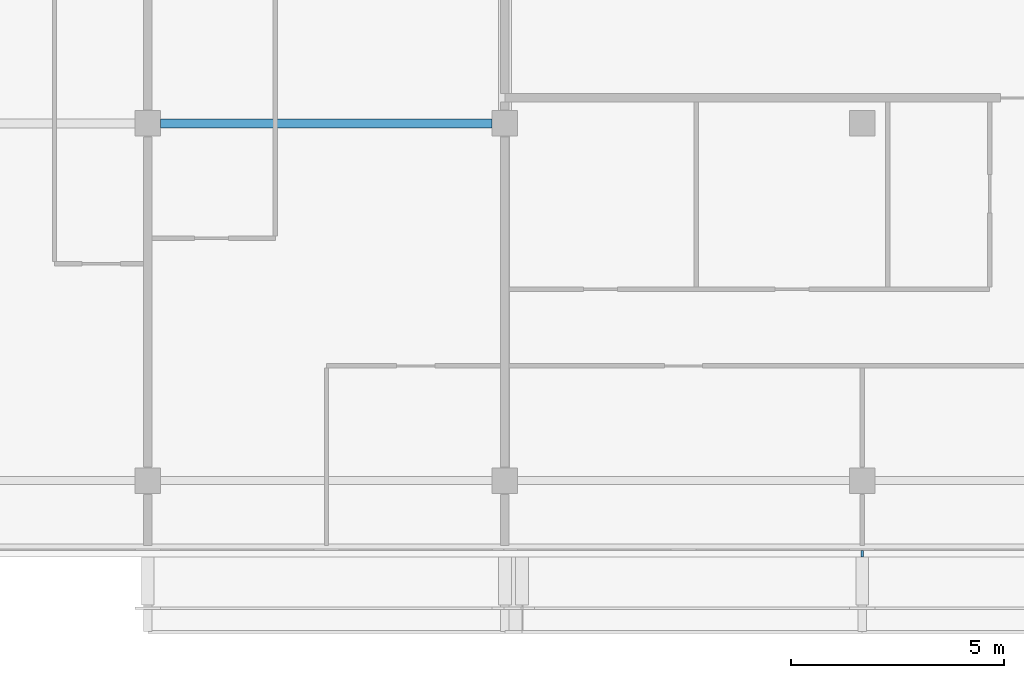
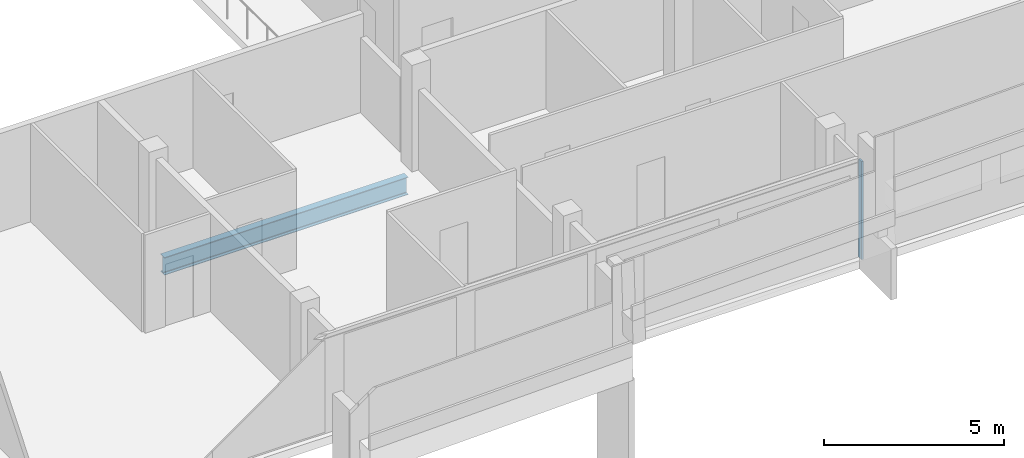
# One storey, part 6 of 27: 1 beam, 1 member, 1 element without a shape of its own.
"""IFC4 building model written with IfcOpenShell, lengths in metres."""

from ifc_helpers import new_model, si_unit, direction, frame, origin, origin_2d, place, context, subcontext, project, spatial, rectangle, i_section, extrude, material, material_profile, profile_set, type_object, element, aggregate, save


model = new_model("IFC4")

# Units and contexts
model_context = context("Model", 3, precision=1e-05, world=origin(), true_north=direction((0.0, 1.0)))
body_context = subcontext(model_context, "Body", "Model", "MODEL_VIEW")
ifc_project = project(units=[si_unit("LENGTHUNIT", "METRE"), si_unit("AREAUNIT", "SQUARE_METRE"), si_unit("VOLUMEUNIT", "CUBIC_METRE"), si_unit("PLANEANGLEUNIT", "RADIAN"), si_unit("MASSUNIT", "GRAM", prefix="KILO")], contexts=[model_context])

# Site, building, storey
site_placement = place(None, origin())
site = spatial("IfcSite", under=ifc_project, at=site_placement, CompositionType="ELEMENT")
building_placement = place(site_placement, origin())
building = spatial("IfcBuilding", under=site, at=building_placement, Name="Saffron Gate Tower", CompositionType="ELEMENT")
storey_placement = place(building_placement, frame((0.0, 0.0, 212.699951171875)))
storey = spatial("IfcBuildingStorey", under=building, at=storey_placement, Name="L51", CompositionType="ELEMENT", Elevation=212.699951171875)

# Beam
ifc_material_1 = material(Name="Structural steel S355", Category="steel")
ifc_material_profile_1 = material_profile(ifc_material_1, i_section(OverallWidth=0.219970703125, OverallDepth=0.60009765625, WebThickness=0.011962890625, FlangeThickness=0.01904296875, FilletRadius=0.02392578125, at=origin_2d()))
ifc_profile_set_1 = profile_set([ifc_material_profile_1], Name="Structural steel S355")
beam_type = type_object("IfcBeamType", Name="B15 IPE 600", PredefinedType="BEAM", material=ifc_profile_set_1)
beam_placement = place(storey_placement, frame((92.10009765625, 40.199951171875, -0.579833984375), z_axis=(1.0, 0.0, 0.0), x_axis=(0.0, 1.0, 0.0)))
element("IfcBeam", 1, at=beam_placement, inside=storey, type_object=beam_type, Name="B15 FLOOR GIRDER", PredefinedType="BEAM", context=body_context, shape_type="SweptSolid", body=[
    extrude(i_section(OverallWidth=0.219970703125, OverallDepth=0.60009765625, WebThickness=0.011962890625, FlangeThickness=0.01904296875, FilletRadius=0.02392578125, at=origin_2d()), origin(), (0.0, 0.0, 1.0), 7.7998046875),
])

# Curtain wall, member
ifc_material_2 = material(Name="Aluminium, bronze anodised", Category="aluminium")
curtain_wall_type = type_object("IfcCurtainWallType", Name="CWS1 curtain wall front facade", PredefinedType="NOTDEFINED", material=ifc_material_2)
curtain_wall_placement = place(storey_placement, origin())
curtain_wall = element("IfcCurtainWall", 2, at=curtain_wall_placement, inside=storey, type_object=curtain_wall_type, Name="CWS1 run 1", PredefinedType="NOTDEFINED")
ifc_material_profile_2 = material_profile(ifc_material_2, rectangle(XDim=0.159912109375, YDim=0.06005859375, at=origin_2d()))
ifc_profile_set_2 = profile_set([ifc_material_profile_2], Name="Aluminium, bronze anodised")
member_type = type_object("IfcMemberType", Name="CWS1 mullion 60x160", PredefinedType="MULLION", material=ifc_profile_set_2)
member_placement = place(storey_placement, frame((108.60009765625, 30.080078125, 0.0), z_axis=(0.0, 0.0, 1.0), x_axis=(0.0, 1.0, 0.0)))
member = element("IfcMember", 3, at=member_placement, type_object=member_type, Name="CWS1 mullion 8", PredefinedType="MULLION", context=body_context, shape_type="SweptSolid", body=[
    extrude(rectangle(XDim=0.159912109375, YDim=0.06005859375, at=origin_2d()), origin(), (0.0, 0.0, 1.0), 3.320068359375),
])
aggregate(curtain_wall, [member])

save(model, "model.ifc")
